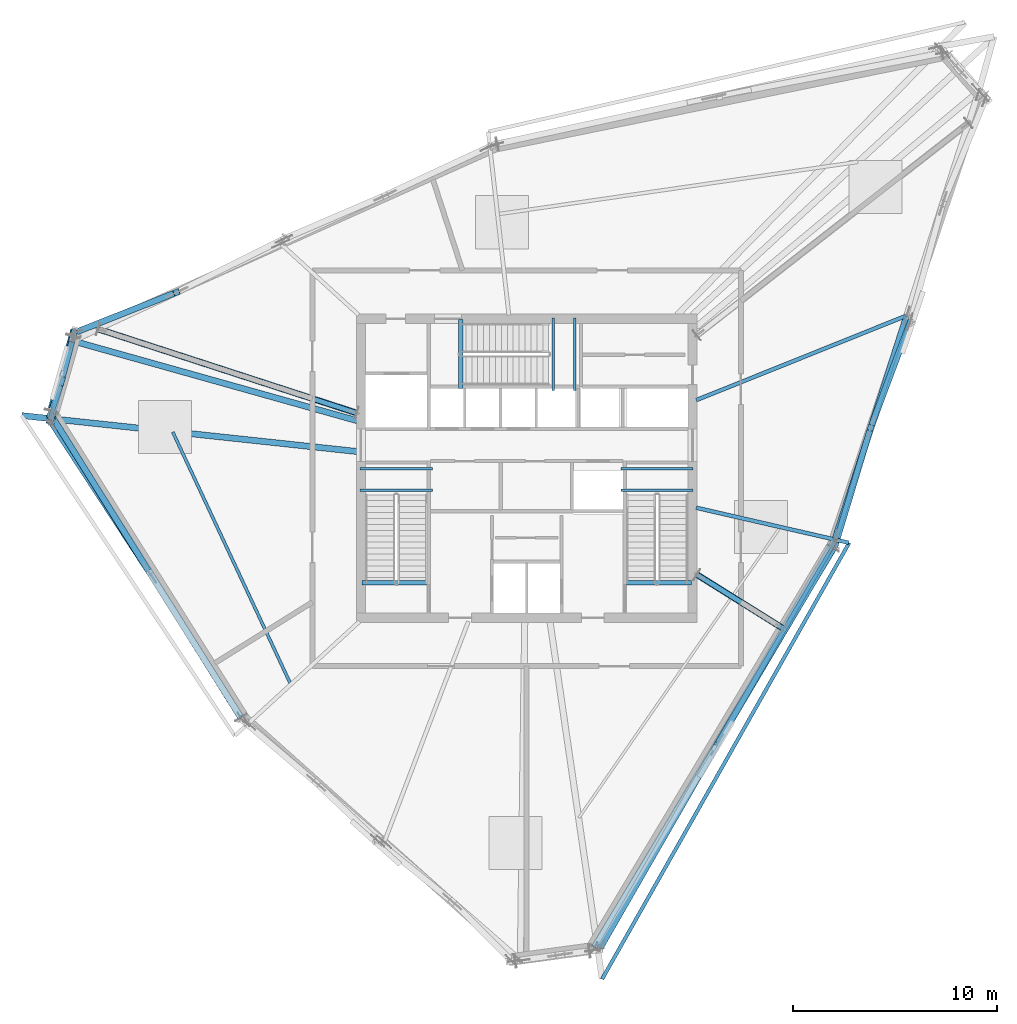
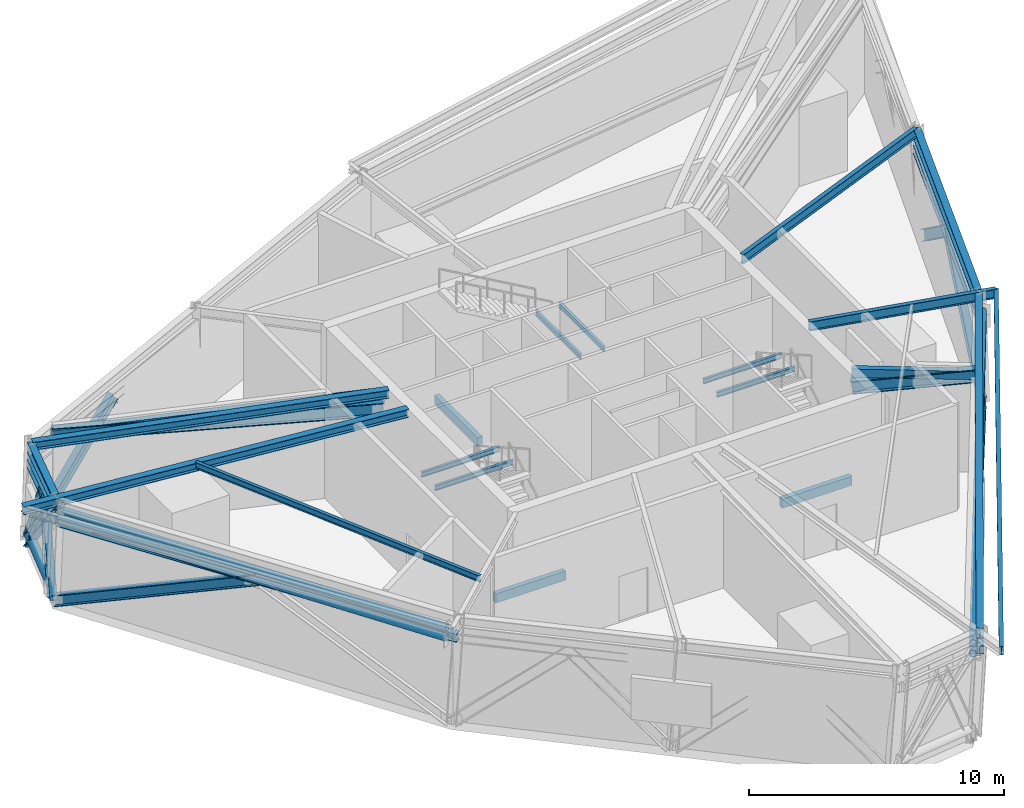
# One storey, part 2 of 15: 21 members, 18 beams.
"""IFC4 building model written with IfcOpenShell, lengths in metres."""

from ifc_helpers import new_model, si_unit, direction, frame, origin, origin_2d, place, context, subcontext, project, spatial, rectangle, hollow_rectangle, hollow_circle, i_section, extrude, source, transform, mapped, material, material_profile, profile_set, type_object, element, save


model = new_model("IFC4")

# Units and contexts
model_context = context("Model", 3, precision=1e-05, world=origin(), true_north=direction((0.0, 1.0)))
body_context = subcontext(model_context, "Body", "Model", "MODEL_VIEW")
ifc_project = project(units=[si_unit("LENGTHUNIT", "METRE"), si_unit("AREAUNIT", "SQUARE_METRE"), si_unit("VOLUMEUNIT", "CUBIC_METRE"), si_unit("PLANEANGLEUNIT", "RADIAN"), si_unit("MASSUNIT", "GRAM", prefix="KILO")], contexts=[model_context])

# Site, building, storey
site_placement = place(None, origin())
site = spatial("IfcSite", under=ifc_project, at=site_placement, CompositionType="ELEMENT")
building_placement = place(site_placement, origin())
building = spatial("IfcBuilding", under=site, at=building_placement, Name="Olszyna Solenne Hotel", CompositionType="ELEMENT")
storey_placement = place(building_placement, frame((0.0, 0.0, 204.300048828125)))
storey = spatial("IfcBuildingStorey", under=building, at=storey_placement, Name="L54", CompositionType="ELEMENT", Elevation=204.300048828125)

# Beams
ifc_material_1 = material(Name="Steel S355J2", Category="steel")
ifc_material_profile_1 = material_profile(ifc_material_1, i_section(OverallWidth=0.300048828125, OverallDepth=0.5, WebThickness=0.014404296875, FlangeThickness=0.028076171875, at=origin_2d()), Name="HEB 500", Category="load-bearing")
ifc_profile_set_1 = profile_set([ifc_material_profile_1], Name="Steel S355J2")
beam_type_1 = type_object("IfcBeamType", Name="BM-S3", PredefinedType="BEAM", material=ifc_profile_set_1)
shared_shape_1 = source(origin(), body_context, "Body", "SweptSolid", [
    extrude(i_section(OverallWidth=0.300048828125, OverallDepth=0.5, WebThickness=0.014404296875, FlangeThickness=0.028076171875, at=origin_2d()), origin(), (0.0, 0.0, 1.0), 3.963134765625),
])
beam_1_placement = place(storey_placement, frame((15.716796875, 32.786376953125, 4.829833984375), z_axis=(-0.2605257478, -0.965466899864, 0.0), x_axis=(0.965466899864, -0.2605257478, 0.0)))
element("IfcBeam", 1, at=beam_1_placement, inside=storey, type_object=beam_type_1, Name="Perimeter spandrel beam BM-S3 B-L54-1592", PredefinedType="BEAM", context=body_context, shape_type="MappedRepresentation", body=[
    mapped(shared_shape_1, transform((0.0, 0.0, 0.0), x_axis=(1.0, 0.0, 0.0), y_axis=(0.0, 1.0, 0.0), z_axis=(0.0, 0.0, 1.0), scale=1.0)),
])
shared_shape_2 = source(origin(), body_context, "Body", "SweptSolid", [
    extrude(i_section(OverallWidth=0.300048828125, OverallDepth=0.5, WebThickness=0.014404296875, FlangeThickness=0.028076171875, at=origin_2d()), origin(), (0.0, 0.0, 1.0), 22.982421875),
])
beam_2_placement = place(storey_placement, frame((41.609375, 3.106689453125, 4.829833984375), z_axis=(0.498309851054, 0.866999015191, 0.0), x_axis=(-0.866999015191, 0.498309851054, 0.0)))
element("IfcBeam", 2, at=beam_2_placement, inside=storey, type_object=beam_type_1, Name="Perimeter spandrel beam BM-S3 B-L54-1597", PredefinedType="BEAM", context=body_context, shape_type="MappedRepresentation", body=[
    mapped(shared_shape_2, transform((0.0, 0.0, 0.0), x_axis=(1.0, 0.0, 0.0), y_axis=(0.0, 1.0, 0.0), z_axis=(0.0, 0.0, 1.0), scale=1.0)),
])
shared_shape_3 = source(origin(), body_context, "Body", "SweptSolid", [
    extrude(i_section(OverallWidth=0.300048828125, OverallDepth=0.5, WebThickness=0.014404296875, FlangeThickness=0.028076171875, at=origin_2d()), origin(), (0.0, 0.0, 1.0), 11.430908203125),
])
beam_3_placement = place(storey_placement, frame((53.110107421875, 23.1416015625, 4.829833984375), z_axis=(0.305886808643, 0.952067886391, 0.0), x_axis=(-0.952067886391, 0.305886808643, 0.0)))
element("IfcBeam", 3, at=beam_3_placement, inside=storey, type_object=beam_type_1, Name="Perimeter spandrel beam BM-S3 B-L54-1598", PredefinedType="BEAM", context=body_context, shape_type="MappedRepresentation", body=[
    mapped(shared_shape_3, transform((0.0, 0.0, 0.0), x_axis=(1.0, 0.0, 0.0), y_axis=(0.0, 1.0, 0.0), z_axis=(0.0, 0.0, 1.0), scale=1.0)),
])
ifc_material_profile_2 = material_profile(ifc_material_1, i_section(OverallWidth=0.300048828125, OverallDepth=0.389892578125, WebThickness=0.010986328125, FlangeThickness=0.01904296875, at=origin_2d()), Name="HEA 400", Category="load-bearing")
ifc_profile_set_2 = profile_set([ifc_material_profile_2], Name="Steel S355J2")
beam_type_2 = type_object("IfcBeamType", Name="BM-G2", PredefinedType="BEAM", material=ifc_profile_set_2)
shared_shape_4 = source(origin(), body_context, "Body", "SweptSolid", [
    extrude(i_section(OverallWidth=0.300048828125, OverallDepth=0.389892578125, WebThickness=0.010986328125, FlangeThickness=0.01904296875, at=origin_2d()), origin(), (0.0, 0.0, 1.0), 14.444580078125),
])
beam_4_placement = place(storey_placement, frame((15.7900390625, 32.828125, 4.885009765625), z_axis=(0.962857567346, -0.270009823904, 0.0), x_axis=(0.270009823904, 0.962857567346, 0.0)))
element("IfcBeam", 4, at=beam_4_placement, inside=storey, type_object=beam_type_2, Name="Radial floor girder BM-G2 B-L54-1604", PredefinedType="BEAM", context=body_context, shape_type="MappedRepresentation", body=[
    mapped(shared_shape_4, transform((0.0, 0.0, 0.0), x_axis=(1.0, 0.0, 0.0), y_axis=(0.0, 1.0, 0.0), z_axis=(0.0, 0.0, 1.0), scale=1.0)),
])
shared_shape_5 = source(origin(), body_context, "Body", "SweptSolid", [
    extrude(i_section(OverallWidth=0.300048828125, OverallDepth=0.389892578125, WebThickness=0.010986328125, FlangeThickness=0.01904296875, at=origin_2d()), origin(), (0.0, 0.0, 1.0), 16.52978515625),
])
beam_5_placement = place(storey_placement, frame((13.26416015625, 29.180419921875, 4.885009765625), z_axis=(0.994305800878, -0.106564414042, 0.0), x_axis=(0.106564414042, 0.994305800878, 0.0)))
element("IfcBeam", 5, at=beam_5_placement, inside=storey, type_object=beam_type_2, Name="Radial floor girder BM-G2 B-L54-1605", PredefinedType="BEAM", context=body_context, shape_type="MappedRepresentation", body=[
    mapped(shared_shape_5, transform((0.0, 0.0, 0.0), x_axis=(1.0, 0.0, 0.0), y_axis=(0.0, 1.0, 0.0), z_axis=(0.0, 0.0, 1.0), scale=1.0)),
])
ifc_material_profile_3 = material_profile(ifc_material_1, i_section(OverallWidth=0.18994140625, OverallDepth=0.449951171875, WebThickness=0.009521484375, FlangeThickness=0.0146484375, at=origin_2d()), Name="IPE 450", Category="load-bearing")
ifc_profile_set_3 = profile_set([ifc_material_profile_3], Name="Steel S355J2")
beam_type_3 = type_object("IfcBeamType", Name="BM-F4", PredefinedType="BEAM", material=ifc_profile_set_3)
shared_shape_6 = source(origin(), body_context, "Body", "SweptSolid", [
    extrude(i_section(OverallWidth=0.18994140625, OverallDepth=0.449951171875, WebThickness=0.009521484375, FlangeThickness=0.0146484375, at=origin_2d()), origin(), (0.0, 0.0, 1.0), 7.677490234375),
])
beam_6_placement = place(storey_placement, frame((53.7841796875, 22.94873046875, 4.85498046875), z_axis=(-0.97465581142, 0.223709743339, 0.0), x_axis=(-0.223709743339, -0.97465581142, 0.0)))
element("IfcBeam", 6, at=beam_6_placement, inside=storey, type_object=beam_type_3, Name="Radial floor girder BM-F4 B-L54-1610", PredefinedType="BEAM", context=body_context, shape_type="MappedRepresentation", body=[
    mapped(shared_shape_6, transform((0.0, 0.0, 0.0), x_axis=(1.0, 0.0, 0.0), y_axis=(0.0, 1.0, 0.0), z_axis=(0.0, 0.0, 1.0), scale=1.0)),
])
shared_shape_7 = source(origin(), body_context, "Body", "SweptSolid", [
    extrude(i_section(OverallWidth=0.18994140625, OverallDepth=0.449951171875, WebThickness=0.009521484375, FlangeThickness=0.0146484375, at=origin_2d()), origin(), (0.0, 0.0, 1.0), 11.063232421875),
])
beam_7_placement = place(storey_placement, frame((56.569580078125, 34.059326171875, 4.85498046875), z_axis=(-0.927932370835, -0.37274859511, 0.0), x_axis=(0.37274859511, -0.927932370835, 0.0)))
element("IfcBeam", 7, at=beam_7_placement, inside=storey, type_object=beam_type_3, Name="Radial floor girder BM-F4 B-L54-1611", PredefinedType="BEAM", context=body_context, shape_type="MappedRepresentation", body=[
    mapped(shared_shape_7, transform((0.0, 0.0, 0.0), x_axis=(1.0, 0.0, 0.0), y_axis=(0.0, 1.0, 0.0), z_axis=(0.0, 0.0, 1.0), scale=1.0)),
])
ifc_material_profile_4 = material_profile(ifc_material_1, i_section(OverallWidth=0.14990234375, OverallDepth=0.300048828125, WebThickness=0.007080078125, FlangeThickness=0.0107421875, at=origin_2d()), Name="IPE 300", Category="load-bearing")
ifc_profile_set_4 = profile_set([ifc_material_profile_4], Name="Steel S355J2")
beam_type_4 = type_object("IfcBeamType", Name="JS-02", PredefinedType="JOIST", material=ifc_profile_set_4)
shared_shape_8 = source(origin(), body_context, "Body", "SweptSolid", [
    extrude(i_section(OverallWidth=0.14990234375, OverallDepth=0.300048828125, WebThickness=0.007080078125, FlangeThickness=0.0107421875, at=origin_2d()), origin(), (0.0, 0.0, 1.0), 13.6318359375),
])
beam_8_placement = place(storey_placement, frame((20.65771484375, 28.370849609375, 4.929931640625), z_axis=(0.423576555821, -0.905860310069, 0.0), x_axis=(0.905860310069, 0.423576555821, 0.0)))
element("IfcBeam", 8, at=beam_8_placement, inside=storey, type_object=beam_type_4, Name="Secondary composite floor joist JS-02 B-L54-1616", PredefinedType="JOIST", context=body_context, shape_type="MappedRepresentation", body=[
    mapped(shared_shape_8, transform((0.0, 0.0, 0.0), x_axis=(1.0, 0.0, 0.0), y_axis=(0.0, 1.0, 0.0), z_axis=(0.0, 0.0, 1.0), scale=1.0)),
])
ifc_material_profile_5 = material_profile(ifc_material_1, i_section(OverallWidth=0.179931640625, OverallDepth=0.39990234375, WebThickness=0.008544921875, FlangeThickness=0.013427734375, at=origin_2d()), Name="IPE 400", Category="load-bearing")
ifc_profile_set_5 = profile_set([ifc_material_profile_5], Name="Steel S355J2")
beam_type_5 = type_object("IfcBeamType", Name="BM-F5", PredefinedType="BEAM", material=ifc_profile_set_5)
shared_shape_9 = source(origin(), body_context, "Body", "SweptSolid", [
    extrude(i_section(OverallWidth=0.179931640625, OverallDepth=0.39990234375, WebThickness=0.008544921875, FlangeThickness=0.013427734375, at=origin_2d()), origin(), (0.0, 0.0, 1.0), 24.56884765625),
])
beam_9_placement = place(storey_placement, frame((41.695556640625, 1.566162109375, 4.8798828125), z_axis=(0.492827526283, 0.870127019083, 0.0), x_axis=(-0.870127019083, 0.492827526283, 0.0)))
element("IfcBeam", 9, at=beam_9_placement, inside=storey, type_object=beam_type_5, Name="Loggia outer edge beam BM-F5 B-L54-1620", PredefinedType="BEAM", context=body_context, shape_type="MappedRepresentation", body=[
    mapped(shared_shape_9, transform((0.0, 0.0, 0.0), x_axis=(1.0, 0.0, 0.0), y_axis=(0.0, 1.0, 0.0), z_axis=(0.0, 0.0, 1.0), scale=1.0)),
])

# Members
ifc_material_2 = material(Name="Steel S460M", Category="steel")
ifc_material_profile_6 = material_profile(ifc_material_2, i_section(OverallWidth=0.40087890625, OverallDepth=0.39892578125, WebThickness=0.02197265625, FlangeThickness=0.034423828125, at=origin_2d()), Name="HD 400x314", Category="load-bearing")
ifc_profile_set_6 = profile_set([ifc_material_profile_6], Name="Steel S460M")
member_type_1 = type_object("IfcMemberType", Name="BR-T3", PredefinedType="BRACE", material=ifc_profile_set_6)
shared_shape_10 = source(origin(), body_context, "Body", "SweptSolid", [
    extrude(i_section(OverallWidth=0.40087890625, OverallDepth=0.39892578125, WebThickness=0.02197265625, FlangeThickness=0.034423828125, at=origin_2d()), origin(), (0.0, 0.0, 1.0), 6.554443359375),
])
member_1_placement = place(storey_placement, frame((15.80859375, 33.222900390625, 0.010009765625), z_axis=(-0.1739129977, -0.659223009916, 0.731559493431), x_axis=(0.966917953321, -0.255087576227, 0.0)))
element("IfcMember", 10, at=member_1_placement, inside=storey, type_object=member_type_1, Name="Perimeter braced-tube diagonal BR-T3 BR-L54-2", PredefinedType="BRACE", context=body_context, shape_type="MappedRepresentation", body=[
    mapped(shared_shape_10, transform((0.0, 0.0, 0.0), x_axis=(1.0, 0.0, 0.0), y_axis=(0.0, 1.0, 0.0), z_axis=(0.0, 0.0, 1.0), scale=1.0)),
])
ifc_material_profile_7 = material_profile(ifc_material_1, i_section(OverallWidth=0.300048828125, OverallDepth=0.5, WebThickness=0.014404296875, FlangeThickness=0.028076171875, at=origin_2d()), Name="HEB 500", Category="load-bearing")
ifc_profile_set_7 = profile_set([ifc_material_profile_7], Name="Steel S355J2")
member_type_2 = type_object("IfcMemberType", Name="BR-BL1", PredefinedType="BRACE", material=ifc_profile_set_7)
shared_shape_11 = source(origin(), body_context, "Body", "SweptSolid", [
    extrude(i_section(OverallWidth=0.300048828125, OverallDepth=0.5, WebThickness=0.014404296875, FlangeThickness=0.028076171875, at=origin_2d()), origin(), (0.0, 0.0, 1.0), 6.706298828125),
])
member_2_placement = place(storey_placement, frame((15.844970703125, 33.2392578125, 0.02001953125), z_axis=(0.745093379467, 0.295459904615, 0.597945901097), x_axis=(-0.368616923559, 0.929581391631, 0.0)))
element("IfcMember", 11, at=member_2_placement, inside=storey, type_object=member_type_2, Name="Belt truss diagonal BR-BL1 BT-L54-04-2", PredefinedType="BRACE", context=body_context, shape_type="MappedRepresentation", body=[
    mapped(shared_shape_11, transform((0.0, 0.0, 0.0), x_axis=(1.0, 0.0, 0.0), y_axis=(0.0, 1.0, 0.0), z_axis=(0.0, 0.0, 1.0), scale=1.0)),
])
ifc_material_profile_8 = material_profile(ifc_material_1, i_section(OverallWidth=0.300048828125, OverallDepth=0.39990234375, WebThickness=0.013427734375, FlangeThickness=0.02392578125, at=origin_2d()), Name="HEB 400", Category="load-bearing")
ifc_profile_set_8 = profile_set([ifc_material_profile_8], Name="Steel S355J2")
member_type_3 = type_object("IfcMemberType", Name="CH-TR2", PredefinedType="CHORD", material=ifc_profile_set_8)
shared_shape_12 = source(origin(), body_context, "Body", "SweptSolid", [
    extrude(i_section(OverallWidth=0.300048828125, OverallDepth=0.39990234375, WebThickness=0.013427734375, FlangeThickness=0.02392578125, at=origin_2d()), origin(), (0.0, 0.0, 1.0), 4.0029296875),
])
member_3_placement = place(storey_placement, frame((15.721923828125, 32.8056640625, 4.030029296875), z_axis=(-0.260489624657, -0.965476646764, 0.0), x_axis=(0.965476646764, -0.260489624657, 0.0)))
element("IfcMember", 12, at=member_3_placement, inside=storey, type_object=member_type_3, Name="Belt truss upper chord CH-TR2 CH-L54-05", PredefinedType="CHORD", context=body_context, shape_type="MappedRepresentation", body=[
    mapped(shared_shape_12, transform((0.0, 0.0, 0.0), x_axis=(1.0, 0.0, 0.0), y_axis=(0.0, 1.0, 0.0), z_axis=(0.0, 0.0, 1.0), scale=1.0)),
])
shared_shape_13 = source(origin(), body_context, "Body", "SweptSolid", [
    extrude(i_section(OverallWidth=0.300048828125, OverallDepth=0.5, WebThickness=0.014404296875, FlangeThickness=0.028076171875, at=origin_2d()), origin(), (0.0, 0.0, 1.0), 4.666748046875),
])
member_4_placement = place(storey_placement, frame((15.797607421875, 33.184326171875, 0.02001953125), z_axis=(-0.127964877277, -0.495223028742, 0.859289905671), x_axis=(0.968199043188, -0.250181159903, 0.0)))
element("IfcMember", 13, at=member_4_placement, inside=storey, type_object=member_type_2, Name="Belt truss diagonal BR-BL1 BT-L54-05-1", PredefinedType="BRACE", context=body_context, shape_type="MappedRepresentation", body=[
    mapped(shared_shape_13, transform((0.0, 0.0, 0.0), x_axis=(1.0, 0.0, 0.0), y_axis=(0.0, 1.0, 0.0), z_axis=(0.0, 0.0, 1.0), scale=1.0)),
])
shared_shape_14 = source(origin(), body_context, "Body", "SweptSolid", [
    extrude(i_section(OverallWidth=0.300048828125, OverallDepth=0.5, WebThickness=0.014404296875, FlangeThickness=0.028076171875, at=origin_2d()), origin(), (0.0, 0.0, 1.0), 4.34423828125),
])
member_5_placement = place(storey_placement, frame((14.679443359375, 29.285400390625, 0.02001953125), z_axis=(0.119926141354, 0.36551060139, 0.92304914327), x_axis=(-0.950162873436, 0.311753931721, 0.0)))
element("IfcMember", 14, at=member_5_placement, inside=storey, type_object=member_type_2, Name="Belt truss diagonal BR-BL1 BT-L54-05-2", PredefinedType="BRACE", context=body_context, shape_type="MappedRepresentation", body=[
    mapped(shared_shape_14, transform((0.0, 0.0, 0.0), x_axis=(1.0, 0.0, 0.0), y_axis=(0.0, 1.0, 0.0), z_axis=(0.0, 0.0, 1.0), scale=1.0)),
])
shared_shape_15 = source(origin(), body_context, "Body", "SweptSolid", [
    extrude(i_section(OverallWidth=0.300048828125, OverallDepth=0.39990234375, WebThickness=0.013427734375, FlangeThickness=0.02392578125, at=origin_2d()), origin(), (0.0, 0.0, 1.0), 17.614990234375),
])
member_6_placement = place(storey_placement, frame((14.690673828125, 28.86865234375, 4.030029296875), z_axis=(0.54695208092, -0.837163915358, 0.0), x_axis=(0.837163915358, 0.54695208092, 0.0)))
element("IfcMember", 15, at=member_6_placement, inside=storey, type_object=member_type_3, Name="Belt truss upper chord CH-TR2 CH-L54-06", PredefinedType="CHORD", context=body_context, shape_type="MappedRepresentation", body=[
    mapped(shared_shape_15, transform((0.0, 0.0, 0.0), x_axis=(1.0, 0.0, 0.0), y_axis=(0.0, 1.0, 0.0), z_axis=(0.0, 0.0, 1.0), scale=1.0)),
])
shared_shape_16 = source(origin(), body_context, "Body", "SweptSolid", [
    extrude(i_section(OverallWidth=0.300048828125, OverallDepth=0.5, WebThickness=0.014404296875, FlangeThickness=0.028076171875, at=origin_2d()), origin(), (0.0, 0.0, 1.0), 9.942626953125),
])
member_7_placement = place(storey_placement, frame((14.689697265625, 29.212890625, 0.02001953125), z_axis=(0.484613404608, -0.776201577476, 0.403312483314), x_axis=(0.848249965642, 0.529596068517, 0.0)))
element("IfcMember", 16, at=member_7_placement, inside=storey, type_object=member_type_2, Name="Belt truss diagonal BR-BL1 BT-L54-06-1", PredefinedType="BRACE", context=body_context, shape_type="MappedRepresentation", body=[
    mapped(shared_shape_16, transform((0.0, 0.0, 0.0), x_axis=(1.0, 0.0, 0.0), y_axis=(0.0, 1.0, 0.0), z_axis=(0.0, 0.0, 1.0), scale=1.0)),
])
shared_shape_17 = source(origin(), body_context, "Body", "SweptSolid", [
    extrude(i_section(OverallWidth=0.300048828125, OverallDepth=0.39990234375, WebThickness=0.013427734375, FlangeThickness=0.02392578125, at=origin_2d()), origin(), (0.0, 0.0, 1.0), 23.0224609375),
])
member_8_placement = place(storey_placement, frame((41.599365234375, 3.08935546875, 4.030029296875), z_axis=(0.498312921126, 0.866997250652, 0.0), x_axis=(-0.866997250652, 0.498312921126, 0.0)))
element("IfcMember", 17, at=member_8_placement, inside=storey, type_object=member_type_3, Name="Belt truss upper chord CH-TR2 CH-L54-10", PredefinedType="CHORD", context=body_context, shape_type="MappedRepresentation", body=[
    mapped(shared_shape_17, transform((0.0, 0.0, 0.0), x_axis=(1.0, 0.0, 0.0), y_axis=(0.0, 1.0, 0.0), z_axis=(0.0, 0.0, 1.0), scale=1.0)),
])
shared_shape_18 = source(origin(), body_context, "Body", "SweptSolid", [
    extrude(i_section(OverallWidth=0.300048828125, OverallDepth=0.5, WebThickness=0.014404296875, FlangeThickness=0.028076171875, at=origin_2d()), origin(), (0.0, 0.0, 1.0), 11.98486328125),
])
member_9_placement = place(storey_placement, frame((53.0947265625, 22.784912109375, 0.02001953125), z_axis=(-0.480545630838, -0.810633015412, 0.334589316936), x_axis=(0.860212167137, -0.509936297501, 0.0)))
element("IfcMember", 18, at=member_9_placement, inside=storey, type_object=member_type_2, Name="Belt truss diagonal BR-BL1 BT-L54-10-2", PredefinedType="BRACE", context=body_context, shape_type="MappedRepresentation", body=[
    mapped(shared_shape_18, transform((0.0, 0.0, 0.0), x_axis=(1.0, 0.0, 0.0), y_axis=(0.0, 1.0, 0.0), z_axis=(0.0, 0.0, 1.0), scale=1.0)),
])
shared_shape_19 = source(origin(), body_context, "Body", "SweptSolid", [
    extrude(i_section(OverallWidth=0.300048828125, OverallDepth=0.39990234375, WebThickness=0.013427734375, FlangeThickness=0.02392578125, at=origin_2d()), origin(), (0.0, 0.0, 1.0), 11.47119140625),
])
member_10_placement = place(storey_placement, frame((53.103759765625, 23.12255859375, 4.030029296875), z_axis=(0.305923062633, 0.952056237703, 0.0), x_axis=(-0.952056237703, 0.305923062633, 0.0)))
element("IfcMember", 19, at=member_10_placement, inside=storey, type_object=member_type_3, Name="Belt truss upper chord CH-TR2 CH-L54-11", PredefinedType="CHORD", context=body_context, shape_type="MappedRepresentation", body=[
    mapped(shared_shape_19, transform((0.0, 0.0, 0.0), x_axis=(1.0, 0.0, 0.0), y_axis=(0.0, 1.0, 0.0), z_axis=(0.0, 0.0, 1.0), scale=1.0)),
])
shared_shape_20 = source(origin(), body_context, "Body", "SweptSolid", [
    extrude(i_section(OverallWidth=0.300048828125, OverallDepth=0.5, WebThickness=0.014404296875, FlangeThickness=0.028076171875, at=origin_2d()), origin(), (0.0, 0.0, 1.0), 7.201416015625),
])
member_11_placement = place(storey_placement, frame((53.128173828125, 22.857177734375, 0.02001953125), z_axis=(0.240264980875, 0.795108592698, 0.556843842368), x_axis=(-0.957250333106, 0.289260781594, 0.0)))
element("IfcMember", 20, at=member_11_placement, inside=storey, type_object=member_type_2, Name="Belt truss diagonal BR-BL1 BT-L54-11-1", PredefinedType="BRACE", context=body_context, shape_type="MappedRepresentation", body=[
    mapped(shared_shape_20, transform((0.0, 0.0, 0.0), x_axis=(1.0, 0.0, 0.0), y_axis=(0.0, 1.0, 0.0), z_axis=(0.0, 0.0, 1.0), scale=1.0)),
])
shared_shape_21 = source(origin(), body_context, "Body", "SweptSolid", [
    extrude(i_section(OverallWidth=0.300048828125, OverallDepth=0.5, WebThickness=0.014404296875, FlangeThickness=0.028076171875, at=origin_2d()), origin(), (0.0, 0.0, 1.0), 6.8154296875),
])
member_12_placement = place(storey_placement, frame((56.790771484375, 33.743896484375, 0.02001953125), z_axis=(-0.283532412457, -0.757244683125, 0.588379011322), x_axis=(0.936505661332, -0.350652457989, 0.0)))
element("IfcMember", 21, at=member_12_placement, inside=storey, type_object=member_type_2, Name="Belt truss diagonal BR-BL1 BT-L54-11-2", PredefinedType="BRACE", context=body_context, shape_type="MappedRepresentation", body=[
    mapped(shared_shape_21, transform((0.0, 0.0, 0.0), x_axis=(1.0, 0.0, 0.0), y_axis=(0.0, 1.0, 0.0), z_axis=(0.0, 0.0, 1.0), scale=1.0)),
])
ifc_material_profile_9 = material_profile(ifc_material_2, i_section(OverallWidth=0.304931640625, OverallDepth=0.6201171875, WebThickness=0.02099609375, FlangeThickness=0.0400390625, at=origin_2d()), Name="HEM 600", Category="load-bearing")
ifc_profile_set_9 = profile_set([ifc_material_profile_9], Name="Steel S460M")
member_type_4 = type_object("IfcMemberType", Name="BR-OU1", PredefinedType="BRACE", material=ifc_profile_set_9)
shared_shape_22 = source(origin(), body_context, "Body", "SweptSolid", [
    extrude(i_section(OverallWidth=0.304931640625, OverallDepth=0.6201171875, WebThickness=0.02099609375, FlangeThickness=0.0400390625, at=origin_2d()), origin(), (0.0, 0.0, 1.0), 5.029052734375),
])
member_13_placement = place(storey_placement, frame((46.35009765625, 21.38232421875, 3.929931640625), z_axis=(0.839785788763, -0.52477509547, 0.139179481842), x_axis=(0.529932840688, 0.848039612495, 0.0)))
element("IfcMember", 22, at=member_13_placement, inside=storey, type_object=member_type_4, Name="Outrigger truss brace BR-OU1 OU-L54-01", PredefinedType="BRACE", context=body_context, shape_type="MappedRepresentation", body=[
    mapped(shared_shape_22, transform((0.0, 0.0, 0.0), x_axis=(1.0, 0.0, 0.0), y_axis=(0.0, 1.0, 0.0), z_axis=(0.0, 0.0, 1.0), scale=1.0)),
])
ifc_material_profile_10 = material_profile(ifc_material_1, hollow_rectangle(XDim=0.25, YDim=0.39990234375, WallThickness=0.02001953125, at=origin_2d()), Name="RHS 400x250x20", Category="load-bearing")
ifc_profile_set_10 = profile_set([ifc_material_profile_10], Name="Steel S355J2")
member_type_5 = type_object("IfcMemberType", Name="CH-BL1", PredefinedType="CHORD", material=ifc_profile_set_10)
shared_shape_23 = source(origin(), body_context, "Body", "SweptSolid", [
    extrude(hollow_rectangle(XDim=0.25, YDim=0.39990234375, WallThickness=0.02001953125, at=origin_2d()), origin(), (0.0, 0.0, 1.0), 4.980224609375),
])
member_14_placement = place(storey_placement, frame((46.35009765625, 21.38232421875, 4.6298828125), z_axis=(0.848039612495, -0.529932840688, 0.0), x_axis=(0.529932840688, 0.848039612495, 0.0)))
element("IfcMember", 23, at=member_14_placement, inside=storey, type_object=member_type_5, Name="Outrigger collector chord CH-BL1 OC-L54-01", PredefinedType="CHORD", context=body_context, shape_type="MappedRepresentation", body=[
    mapped(shared_shape_23, transform((0.0, 0.0, 0.0), x_axis=(1.0, 0.0, 0.0), y_axis=(0.0, 1.0, 0.0), z_axis=(0.0, 0.0, 1.0), scale=1.0)),
])
shared_shape_24 = source(origin(), body_context, "Body", "SweptSolid", [
    extrude(i_section(OverallWidth=0.304931640625, OverallDepth=0.6201171875, WebThickness=0.02099609375, FlangeThickness=0.0400390625, at=origin_2d()), origin(), (0.0, 0.0, 1.0), 13.3134765625),
])
member_15_placement = place(storey_placement, frame((29.64990234375, 29.31298828125, 3.929931640625), z_axis=(-0.949740736694, 0.308591012282, 0.052574900892), x_axis=(-0.309018389804, -0.951056062892, 0.0)))
element("IfcMember", 24, at=member_15_placement, inside=storey, type_object=member_type_4, Name="Outrigger truss brace BR-OU1 OU-L54-03", PredefinedType="BRACE", context=body_context, shape_type="MappedRepresentation", body=[
    mapped(shared_shape_24, transform((0.0, 0.0, 0.0), x_axis=(1.0, 0.0, 0.0), y_axis=(0.0, 1.0, 0.0), z_axis=(0.0, 0.0, 1.0), scale=1.0)),
])
shared_shape_25 = source(origin(), body_context, "Body", "SweptSolid", [
    extrude(hollow_rectangle(XDim=0.25, YDim=0.39990234375, WallThickness=0.02001953125, at=origin_2d()), origin(), (0.0, 0.0, 1.0), 13.294921875),
])
member_16_placement = place(storey_placement, frame((29.64990234375, 29.31298828125, 4.6298828125), z_axis=(-0.951056062892, 0.309018389804, 0.0), x_axis=(-0.309018389804, -0.951056062892, 0.0)))
element("IfcMember", 25, at=member_16_placement, inside=storey, type_object=member_type_5, Name="Outrigger collector chord CH-BL1 OC-L54-03", PredefinedType="CHORD", context=body_context, shape_type="MappedRepresentation", body=[
    mapped(shared_shape_25, transform((0.0, 0.0, 0.0), x_axis=(1.0, 0.0, 0.0), y_axis=(0.0, 1.0, 0.0), z_axis=(0.0, 0.0, 1.0), scale=1.0)),
])
ifc_material_profile_11 = material_profile(ifc_material_1, hollow_circle(Radius=0.203125, WallThickness=0.01611328125, at=origin_2d()), Name="CHS 406.4x16", Category="load-bearing")
ifc_profile_set_11 = profile_set([ifc_material_profile_11], Name="Steel S355J2")
member_type_6 = type_object("IfcMemberType", Name="BR-TB3", PredefinedType="BRACE", material=ifc_profile_set_11)
shared_shape_26 = source(origin(), body_context, "Body", "SweptSolid", [
    extrude(hollow_circle(Radius=0.203125, WallThickness=0.01611328125, at=origin_2d()), origin(), (0.0, 0.0, 1.0), 3.776123046875),
])
member_17_placement = place(storey_placement, frame((15.7587890625, 33.0498046875, 0.550048828125), z_axis=(-0.275617617493, -0.961267355592, 0.0), x_axis=(0.961267355592, -0.275617617493, 0.0)))
element("IfcMember", 26, at=member_17_placement, inside=storey, type_object=member_type_6, Name="Belt collar tie BR-TB3 CTB-L54-2", PredefinedType="BRACE", context=body_context, shape_type="MappedRepresentation", body=[
    mapped(shared_shape_26, transform((0.0, 0.0, 0.0), x_axis=(1.0, 0.0, 0.0), y_axis=(0.0, 1.0, 0.0), z_axis=(0.0, 0.0, 1.0), scale=1.0)),
])
ifc_material_profile_12 = material_profile(ifc_material_1, hollow_circle(Radius=0.161865234375, WallThickness=0.012451171875, at=origin_2d()), Name="CHS 323.9x12.5", Category="load-bearing")
ifc_profile_set_12 = profile_set([ifc_material_profile_12], Name="Steel S355J2")
member_type_7 = type_object("IfcMemberType", Name="ST-WT1", PredefinedType="STRUT", material=ifc_profile_set_12)
shared_shape_27 = source(origin(), body_context, "Body", "SweptSolid", [
    extrude(hollow_circle(Radius=0.161865234375, WallThickness=0.012451171875, at=origin_2d()), origin(), (0.0, 0.0, 1.0), 17.35205078125),
])
for number, where, z_axis, x_axis, name in (
    (27, (14.76416015625, 29.09423828125, 3.929931640625), (0.531420995206, -0.847107859634, 0.0), (0.847107859634, 0.531420995206, 0.0), "Wind-turbine slot cradle strut ST-WT1 WT-L54-21"),
    (28, (14.76416015625, 29.09423828125, 4.429931640625), (0.531420995206, -0.847107859634, 0.0), (0.847107859634, 0.531420995206, 0.0), "Wind-turbine slot cradle strut ST-WT1 WT-L54-22"),
):
    element("IfcMember", number, at=place(storey_placement, frame(where, z_axis=z_axis, x_axis=x_axis)), inside=storey, type_object=member_type_7, Name=name, PredefinedType="STRUT", context=body_context, shape_type="MappedRepresentation", body=[
        mapped(shared_shape_27, transform((0.0, 0.0, 0.0), x_axis=(1.0, 0.0, 0.0), y_axis=(0.0, 1.0, 0.0), z_axis=(0.0, 0.0, 1.0), scale=1.0)),
    ])
shared_shape_28 = source(origin(), body_context, "Body", "SweptSolid", [
    extrude(hollow_circle(Radius=0.161865234375, WallThickness=0.012451171875, at=origin_2d()), origin(), (0.0, 0.0, 1.0), 22.772705078125),
])
for number, where, z_axis, x_axis, name in (
    (29, (41.326171875, 3.12548828125, 3.929931640625), (0.513622059918, 0.858016538049, 0.0), (-0.858016538049, 0.513622059918, 0.0), "Wind-turbine slot cradle strut ST-WT1 WT-L54-31"),
    (30, (41.326171875, 3.12548828125, 4.429931640625), (0.513622059918, 0.858016538049, 0.0), (-0.858016538049, 0.513622059918, 0.0), "Wind-turbine slot cradle strut ST-WT1 WT-L54-32"),
):
    element("IfcMember", number, at=place(storey_placement, frame(where, z_axis=z_axis, x_axis=x_axis)), inside=storey, type_object=member_type_7, Name=name, PredefinedType="STRUT", context=body_context, shape_type="MappedRepresentation", body=[
        mapped(shared_shape_28, transform((0.0, 0.0, 0.0), x_axis=(1.0, 0.0, 0.0), y_axis=(0.0, 1.0, 0.0), z_axis=(0.0, 0.0, 1.0), scale=1.0)),
    ])

# Beams
ifc_material_profile_13 = material_profile(ifc_material_1, i_section(OverallWidth=0.1201171875, OverallDepth=0.239990234375, WebThickness=0.006103515625, FlangeThickness=0.009765625, at=origin_2d()), Name="IPE 240", Category="load-bearing")
ifc_profile_set_13 = profile_set([ifc_material_profile_13], Name="Steel S355J2")
beam_type_6 = type_object("IfcBeamType", Name="JS-03", PredefinedType="JOIST", material=ifc_profile_set_13)
shared_shape_29 = source(origin(), body_context, "Body", "SweptSolid", [
    extrude(i_section(OverallWidth=0.1201171875, OverallDepth=0.239990234375, WebThickness=0.006103515625, FlangeThickness=0.009765625, at=origin_2d()), origin(), (0.0, 0.0, 1.0), 3.539794921875),
])
for number, where, z_axis, x_axis, name in (
    (31, (33.3798828125, 25.52001953125, 2.324951171875), (-1.0, 0.0, 0.0), (0.0, -1.0, 0.0), "Stair landing support beam JS-03 SLB-ST1-0113"),
    (32, (33.3798828125, 26.580078125, 2.324951171875), (-1.0, 0.0, 0.0), (0.0, -1.0, 0.0), "Stair landing support beam JS-03 SLB-ST1-0114"),
    (33, (46.159912109375, 25.52001953125, 2.324951171875), (-1.0, 0.0, 0.0), (0.0, -1.0, 0.0), "Stair landing support beam JS-03 SLB-ST2-0353"),
    (34, (46.159912109375, 26.580078125, 2.324951171875), (-1.0, 0.0, 0.0), (0.0, -1.0, 0.0), "Stair landing support beam JS-03 SLB-ST2-0354"),
):
    element("IfcBeam", number, at=place(storey_placement, frame(where, z_axis=z_axis, x_axis=x_axis)), inside=storey, type_object=beam_type_6, Name=name, PredefinedType="JOIST", context=body_context, shape_type="MappedRepresentation", body=[
        mapped(shared_shape_29, transform((0.0, 0.0, 0.0), x_axis=(1.0, 0.0, 0.0), y_axis=(0.0, 1.0, 0.0), z_axis=(0.0, 0.0, 1.0), scale=1.0)),
    ])
ifc_material_3 = material(Name="Concrete C50/60", Category="concrete")
ifc_material_profile_14 = material_profile(ifc_material_3, rectangle(XDim=0.219970703125, YDim=0.43994140625, at=origin_2d()), Name="RC 220x440", Category="load-bearing")
ifc_profile_set_14 = profile_set([ifc_material_profile_14], Name="Concrete C50/60")
beam_type_7 = type_object("IfcBeamType", Name="BM-ST1", PredefinedType="BEAM", material=ifc_profile_set_14)
shared_shape_30 = source(origin(), body_context, "Body", "SweptSolid", [
    extrude(rectangle(XDim=0.219970703125, YDim=0.43994140625, at=origin_2d()), origin(), (0.0, 0.0, 1.0), 3.18017578125),
])
for number, where, z_axis, x_axis, name in (
    (35, (33.10009765625, 20.97998046875, -0.205078125), (-1.0, 0.0, 0.0), (0.0, -1.0, 0.0), "Concrete stair trimmer beam BM-ST1 SHB-ST1-0216"),
    (36, (46.080078125, 20.97998046875, -0.205078125), (-1.0, 0.0, 0.0), (0.0, -1.0, 0.0), "Concrete stair trimmer beam BM-ST1 SHB-ST2-0456"),
):
    element("IfcBeam", number, at=place(storey_placement, frame(where, z_axis=z_axis, x_axis=x_axis)), inside=storey, type_object=beam_type_7, Name=name, PredefinedType="BEAM", context=body_context, shape_type="MappedRepresentation", body=[
        mapped(shared_shape_30, transform((0.0, 0.0, 0.0), x_axis=(1.0, 0.0, 0.0), y_axis=(0.0, 1.0, 0.0), z_axis=(0.0, 0.0, 1.0), scale=1.0)),
    ])
shared_shape_31 = source(origin(), body_context, "Body", "SweptSolid", [
    extrude(i_section(OverallWidth=0.1201171875, OverallDepth=0.239990234375, WebThickness=0.006103515625, FlangeThickness=0.009765625, at=origin_2d()), origin(), (0.0, 0.0, 1.0), 3.5400390625),
])
for number, where, z_axis, x_axis, name in (
    (37, (39.300048828125, 30.419921875, 2.324951171875), (0.0, 1.0, 0.0), (-1.0, 0.0, 0.0), "Stair landing support beam JS-03 SLB-ST3-0593"),
    (38, (40.360107421875, 30.419921875, 2.324951171875), (0.0, 1.0, 0.0), (-1.0, 0.0, 0.0), "Stair landing support beam JS-03 SLB-ST3-0594"),
):
    element("IfcBeam", number, at=place(storey_placement, frame(where, z_axis=z_axis, x_axis=x_axis)), inside=storey, type_object=beam_type_6, Name=name, PredefinedType="JOIST", context=body_context, shape_type="MappedRepresentation", body=[
        mapped(shared_shape_31, transform((0.0, 0.0, 0.0), x_axis=(1.0, 0.0, 0.0), y_axis=(0.0, 1.0, 0.0), z_axis=(0.0, 0.0, 1.0), scale=1.0)),
    ])
shared_shape_32 = source(origin(), body_context, "Body", "SweptSolid", [
    extrude(rectangle(XDim=0.219970703125, YDim=0.43994140625, at=origin_2d()), origin(), (0.0, 0.0, 1.0), 3.3798828125),
])
beam_10_placement = place(storey_placement, frame((34.760009765625, 30.5, -0.205078125), z_axis=(0.0, 1.0, 0.0), x_axis=(-1.0, 0.0, 0.0)))
element("IfcBeam", 39, at=beam_10_placement, inside=storey, type_object=beam_type_7, Name="Concrete stair trimmer beam BM-ST1 SHB-ST3-0694", PredefinedType="BEAM", context=body_context, shape_type="MappedRepresentation", body=[
    mapped(shared_shape_32, transform((0.0, 0.0, 0.0), x_axis=(1.0, 0.0, 0.0), y_axis=(0.0, 1.0, 0.0), z_axis=(0.0, 0.0, 1.0), scale=1.0)),
])

save(model, "model.ifc")
